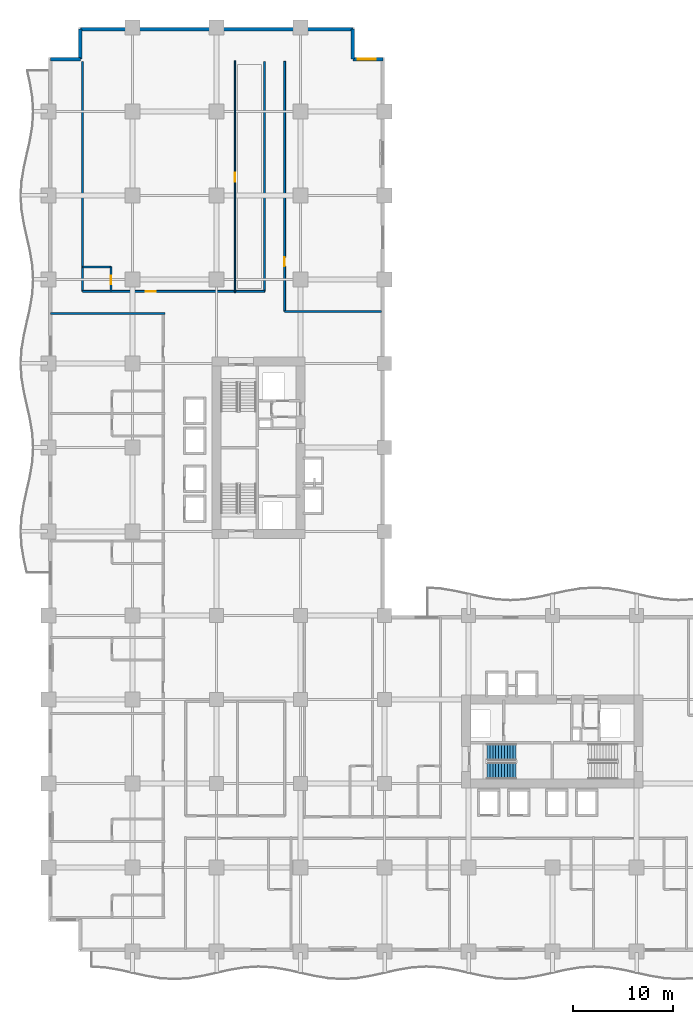
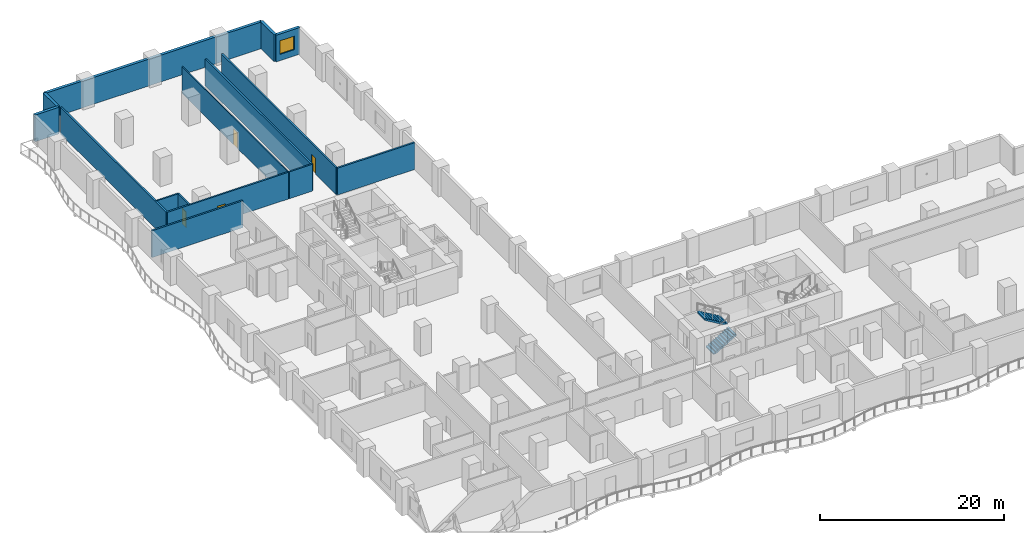
# One storey, part 19 of 27: 14 walls, 4 doors, 2 stair flights, 1 window, 5 openings, 1 element without a shape of its own.
"""IFC4 building model written with IfcOpenShell, lengths in metres."""

import ifcopenshell
import ifcopenshell.guid

model = None  # the IFC model being written
_history = None  # IfcOwnerHistory: only IFC2X3 demands one
_inside = {}  # id of a spatial element -> (the spatial element, [elements in it])
_under = {}  # id of a project, library or spatial element -> (it, [spatial elements below it])
_declared = {}  # id of a project -> (the project, [libraries it declares])
_typed = {}  # id of a type object -> (the type object, [elements of that type])
_made_of = {}  # id of a material, layer set ... -> (it, [elements and type objects made of it])


def new_model(schema):
    """Start an empty IFC model of exactly this schema.

    Asked for "IFC4X3", IfcOpenShell would pick the latest addendum, in which some entities
    have other attributes; the version numbers below select the first issue.
    IFC2X3 requires an IfcOwnerHistory on every rooted entity: one is made here for all.
    """
    global model, _history
    if schema == "IFC4X3":
        model = ifcopenshell.file(schema_version=(4, 3, 0, 0))
    else:
        model = ifcopenshell.file(schema=schema)
    _inside.clear()
    _under.clear()
    _declared.clear()
    _typed.clear()
    _made_of.clear()
    _history = None
    if model.schema == "IFC2X3":
        org = make("IfcOrganization", Name="unknown")
        user = make(
            "IfcPersonAndOrganization",
            ThePerson=make("IfcPerson", FamilyName="unknown"),
            TheOrganization=org,
        )
        app = make(
            "IfcApplication",
            ApplicationDeveloper=org,
            Version="unknown",
            ApplicationFullName="unknown",
            ApplicationIdentifier="unknown",
        )
        _history = make(
            "IfcOwnerHistory",
            OwningUser=user,
            OwningApplication=app,
            ChangeAction="ADDED",
            CreationDate=0,
        )
    return model


def make(cls, **values):
    """One entity of the class cls with the attributes given. An attribute that is None is left unset."""
    return model.create_entity(
        cls, **{name: value for name, value in values.items() if value is not None}
    )


def rooted(cls, **values):
    """An entity with a GlobalId (a new one), such as an element, a storey or a relation."""
    return make(cls, GlobalId=ifcopenshell.guid.new(), OwnerHistory=_history, **values)


def si_unit(unit_type, name, prefix=None):
    """IfcSIUnit, for example si_unit("LENGTHUNIT", "METRE", prefix="MILLI")."""
    return make("IfcSIUnit", UnitType=unit_type, Prefix=prefix, Name=name)


def assignment(units):
    """IfcUnitAssignment: the units of a project."""
    return None if units is None else make("IfcUnitAssignment", Units=units)


def point(xyz):
    """IfcCartesianPoint."""
    return None if xyz is None else make("IfcCartesianPoint", Coordinates=xyz)


def direction(xyz):
    """IfcDirection."""
    return None if xyz is None else make("IfcDirection", DirectionRatios=xyz)


def frame(location, z_axis=None, x_axis=None):
    """IfcAxis2Placement3D, a coordinate frame: its origin and axes. An axis left out is left unset."""
    return make(
        "IfcAxis2Placement3D",
        Location=point(location),
        Axis=direction(z_axis),
        RefDirection=direction(x_axis),
    )


def frame_2d(location, x_axis=None):
    """IfcAxis2Placement2D, a coordinate frame in the plane: its origin and x axis."""
    return make(
        "IfcAxis2Placement2D", Location=point(location), RefDirection=direction(x_axis)
    )


def origin():
    """The frame at (0, 0, 0) with its axes left unset."""
    return frame((0.0, 0.0, 0.0))


def place(relative_to, where):
    """IfcLocalPlacement: puts the frame where relative to a parent placement (None: the world)."""
    return make(
        "IfcLocalPlacement", PlacementRelTo=relative_to, RelativePlacement=where
    )


def context(
    kind, dimensions, precision=None, world=None, true_north=None, identifier=None
):
    """IfcGeometricRepresentationContext, for example the 3D "Model" context."""
    return make(
        "IfcGeometricRepresentationContext",
        ContextIdentifier=identifier,
        ContextType=kind,
        CoordinateSpaceDimension=dimensions,
        Precision=precision,
        WorldCoordinateSystem=world,
        TrueNorth=true_north,
    )


def subcontext(parent, identifier, kind, view, scale=None):
    """IfcGeometricRepresentationSubContext, for example "Body" below "Model"."""
    return make(
        "IfcGeometricRepresentationSubContext",
        ContextIdentifier=identifier,
        ContextType=kind,
        ParentContext=parent,
        TargetScale=scale,
        TargetView=view,
    )


def project(units=None, contexts=None):
    """IfcProject with its units and contexts."""
    return rooted(
        "IfcProject",
        Name="project",
        RepresentationContexts=contexts,
        UnitsInContext=assignment(units),
    )


def spatial(cls, under=None, at=None, **own):
    """A site, building, storey or space (cls), placed at a placement, below another one or the project."""
    s = rooted(cls, ObjectPlacement=at, **own)
    if under is not None:
        _under.setdefault(under.id(), (under, []))[1].append(s)
    return s


def polyline(points):
    """IfcPolyline through the points."""
    return make("IfcPolyline", Points=[point(p) for p in points])


def profile(cls, at=None, kind="AREA", **sizes):
    """A parametric profile (cls). Its sizes go by their IFC names, for example OverallWidth=200.0."""
    return make(cls, ProfileType=kind, Position=at, **sizes)


def rectangle(**sizes):
    """IfcRectangleProfileDef."""
    return profile("IfcRectangleProfileDef", **sizes)


def outline(outer, holes=None, kind="AREA"):
    """IfcArbitraryClosedProfileDef: a profile drawn as a closed curve; with holes, ...WithVoids."""
    if holes is None:
        return make("IfcArbitraryClosedProfileDef", ProfileType=kind, OuterCurve=outer)
    return make(
        "IfcArbitraryProfileDefWithVoids",
        ProfileType=kind,
        OuterCurve=outer,
        InnerCurves=holes,
    )


def extrude(swept, where, along, depth):
    """IfcExtrudedAreaSolid: the profile swept, set in the frame where, extruded along a direction by depth."""
    return make(
        "IfcExtrudedAreaSolid",
        SweptArea=swept,
        Position=where,
        ExtrudedDirection=direction(along),
        Depth=depth,
    )


def shape(context_of_items, identifier, shape_type, items):
    """IfcShapeRepresentation: the items that make up one representation, for example the "Body"."""
    return make(
        "IfcShapeRepresentation",
        ContextOfItems=context_of_items,
        RepresentationIdentifier=identifier,
        RepresentationType=shape_type,
        Items=items,
    )


def material(Name=None, Category=None):
    """IfcMaterial."""
    return make("IfcMaterial", Name=Name, Category=Category)


def layer(
    of_material, thickness, ventilated=None, Name=None, Category=None, Priority=None
):
    """IfcMaterialLayer: one layer of a wall or slab, of a material (None: an air gap)."""
    return make(
        "IfcMaterialLayer",
        Material=of_material,
        LayerThickness=thickness,
        IsVentilated=ventilated,
        Name=Name,
        Category=Category,
        Priority=Priority,
    )


def layer_set(layers, Name=None):
    """IfcMaterialLayerSet."""
    return make("IfcMaterialLayerSet", MaterialLayers=layers, LayerSetName=Name)


def made_of(thing, what):
    """Note that an element or type object is made of a material, layer set ...; save() writes the relation."""
    if what is not None:
        _made_of.setdefault(what.id(), (what, []))[1].append(thing)
    return thing


def type_object(cls, material=None, **own):
    """A type object (cls), such as IfcWallType, which elements share."""
    return made_of(rooted(cls, **own), material)


def element(
    cls,
    number,
    at=None,
    inside=None,
    cuts=None,
    type_object=None,
    material=None,
    context=None,
    identifier="Body",
    shape_type=None,
    held_by="IfcProductDefinitionShape",
    body=None,
    shapes=None,
    **own,
):
    """One element of the class cls, such as IfcWall. Its Tag is "e" and its number.

    at: its placement. inside: the storey or other place that contains it. cuts: it is an
    opening in that element (IfcRelVoidsElement). A single representation is given by context,
    identifier, shape_type and body (its items); several are given by shapes. held_by: the class
    of the entity that holds the representations. save() writes the other relations.
    """
    e = rooted(cls, Tag="e%d" % number, ObjectPlacement=at, **own)
    if body is not None:
        shapes = [shape(context, identifier, shape_type, body)]
    if shapes is not None:
        e.Representation = make(held_by, Representations=shapes)
    if inside is not None:
        _inside.setdefault(inside.id(), (inside, []))[1].append(e)
    if cuts is not None:
        rooted(
            "IfcRelVoidsElement", RelatingBuildingElement=cuts, RelatedOpeningElement=e
        )
    if type_object is not None:
        _typed.setdefault(type_object.id(), (type_object, []))[1].append(e)
    return made_of(e, material)


def fill(opening, filler):
    """IfcRelFillsElement: the door or window that sits in an opening."""
    return rooted(
        "IfcRelFillsElement",
        RelatingOpeningElement=opening,
        RelatedBuildingElement=filler,
    )


def aggregate(whole, parts):
    """IfcRelAggregates: a whole, such as a stair, and the parts it consists of."""
    return rooted("IfcRelAggregates", RelatingObject=whole, RelatedObjects=parts)


def save(model, path):
    """Write the relations noted so far, then the file.

    IfcRelAggregates (storeys below a building ...), IfcRelContainedInSpatialStructure (elements
    in a storey), IfcRelDefinesByType, IfcRelAssociatesMaterial and IfcRelDeclares: one each for
    every whole, place, type object, material and project.
    """
    for whole, parts in _under.values():
        aggregate(whole, parts)
    for where, things in _inside.values():
        rooted(
            "IfcRelContainedInSpatialStructure",
            RelatedElements=things,
            RelatingStructure=where,
        )
    for kind, things in _typed.values():
        rooted("IfcRelDefinesByType", RelatedObjects=things, RelatingType=kind)
    for what, things in _made_of.values():
        rooted("IfcRelAssociatesMaterial", RelatedObjects=things, RelatingMaterial=what)
    for by, libraries in _declared.values():
        rooted("IfcRelDeclares", RelatingContext=by, RelatedDefinitions=libraries)
    model.write(path)


model = new_model("IFC4")

# Units and contexts
model_context = context("Model", 3, precision=1e-05, world=origin(), true_north=direction((0.0, 1.0)))
body_context = subcontext(model_context, "Body", "Model", "MODEL_VIEW")
ifc_project = project(units=[si_unit("LENGTHUNIT", "METRE"), si_unit("AREAUNIT", "SQUARE_METRE"), si_unit("VOLUMEUNIT", "CUBIC_METRE"), si_unit("PLANEANGLEUNIT", "RADIAN"), si_unit("MASSUNIT", "GRAM", prefix="KILO")], contexts=[model_context])

# Site, building, storey
site_placement = place(None, origin())
site = spatial("IfcSite", under=ifc_project, at=site_placement, CompositionType="ELEMENT")
building_placement = place(site_placement, origin())
building = spatial("IfcBuilding", under=site, at=building_placement, Name="Koriwani Terraces Tower", CompositionType="ELEMENT")
storey_placement = place(building_placement, frame((0.0, 0.0, 70.0)))
storey = spatial("IfcBuildingStorey", under=building, at=storey_placement, Name="L16", CompositionType="ELEMENT", Elevation=70.0)

# Wall, opening, door
ifc_material_1 = material(Name="Autoclaved Cellular Concrete Blockwork", Category="masonry")
ifc_layer_1 = layer(ifc_material_1, 0.199951171875, Name="Autoclaved Cellular Concrete Blockwork")
ifc_layer_set_1 = layer_set([ifc_layer_1], Name="Autoclaved Cellular Concrete Blockwork")
wall_type_1 = type_object("IfcWallType", Name="WALL_CORRIDOR_200", PredefinedType="PARTITIONING", material=ifc_layer_set_1)
wall_1_placement = place(storey_placement, frame((3.39990234375, 66.0, 0.0), z_axis=(0.0, 0.0, 1.0), x_axis=(1.0, 0.0, 0.0)))
wall_1 = element("IfcWall", 1, at=wall_1_placement, inside=storey, type_object=wall_type_1, Name="L16 Interior Wall WGB-L16-NTIP-S", PredefinedType="PARTITIONING", context=body_context, shape_type="SweptSolid", body=[
    extrude(rectangle(XDim=18.2001953125, YDim=0.199951171875, at=frame_2d((9.10009765625, 0.0))), origin(), (0.0, 0.0, 1.0), 3.550048828125),
])
opening_1_placement = place(wall_1_placement, frame((6.300048828125, 0.0, 0.0)))
opening_1 = element("IfcOpeningElement", 2, at=opening_1_placement, cuts=wall_1, Name="Opening D-05", PredefinedType="OPENING", context=body_context, shape_type="SweptSolid", body=[
    extrude(rectangle(XDim=1.0, YDim=2.14990234375, at=frame_2d((0.5, 1.074951171875))), frame((0.0, 0.10986328125, 0.0), z_axis=(0.0, -1.0, 0.0), x_axis=(1.0, 0.0, 0.0)), (0.0, 0.0, 1.0), 0.219970703125),
])
ifc_material_2 = material(Name="Architectural Oak Fire Door", Category="wood")
door_type_1 = type_object("IfcDoorType", Name="DOOR_SUITE_ENTRY_1000X2150", OperationType="NOTDEFINED", PredefinedType="DOOR", material=ifc_material_2)
door_1_placement = place(opening_1_placement, origin())
door_1 = element("IfcDoor", 3, at=door_1_placement, inside=storey, type_object=door_type_1, Name="Presidential Wing Suite 16N Entrance Door", OperationType="SINGLE_SWING_RIGHT", OverallHeight=2.14990234375, OverallWidth=1.0, PredefinedType="DOOR", context=body_context, shape_type="SweptSolid", body=[
    extrude(rectangle(XDim=1.0, YDim=2.14990234375, at=frame_2d((0.5, 1.074951171875))), frame((0.0, 0.02490234375, 0.0), z_axis=(0.0, -1.0, 0.0), x_axis=(1.0, 0.0, 0.0)), (0.0, 0.0, 1.0), 0.050048828125),
])
fill(opening_1, door_1)

wall_2_placement = place(storey_placement, frame((23.60009765625, 64.0, 0.0), z_axis=(0.0, 0.0, 1.0), x_axis=(0.0, 1.0, 0.0)))
wall_2 = element("IfcWall", 4, at=wall_2_placement, inside=storey, type_object=wall_type_1, Name="L16 Interior Wall WNTIP2-W-L16", PredefinedType="PARTITIONING", context=body_context, shape_type="SweptSolid", body=[
    extrude(rectangle(XDim=25.0, YDim=0.199951171875, at=frame_2d((12.5, 0.0))), origin(), (0.0, 0.0, 1.0), 3.550048828125),
])
opening_2_placement = place(wall_2_placement, frame((4.5, 0.0, 0.0)))
opening_2 = element("IfcOpeningElement", 5, at=opening_2_placement, cuts=wall_2, Name="Opening D-06", PredefinedType="OPENING", context=body_context, shape_type="SweptSolid", body=[
    extrude(rectangle(XDim=0.919921875, YDim=2.10009765625, at=frame_2d((0.4599609375, 1.050048828125))), frame((0.0, 0.10986328125, 0.0), z_axis=(0.0, -1.0, 0.0), x_axis=(1.0, 0.0, 0.0)), (0.0, 0.0, 1.0), 0.219970703125),
])
door_type_2 = type_object("IfcDoorType", Name="DOOR_ROOM_INT_920X2100", OperationType="NOTDEFINED", PredefinedType="DOOR", material=ifc_material_2)
door_2_placement = place(opening_2_placement, origin())
door_2 = element("IfcDoor", 6, at=door_2_placement, inside=storey, type_object=door_type_2, Name="L16 North Panorama Salon Door", OperationType="SINGLE_SWING_LEFT", OverallHeight=2.10009765625, OverallWidth=0.919921875, PredefinedType="DOOR", context=body_context, shape_type="SweptSolid", body=[
    extrude(rectangle(XDim=0.919921875, YDim=2.10009765625, at=frame_2d((0.4599609375, 1.050048828125))), frame((0.0, 0.02490234375, 0.0), z_axis=(0.0, -1.0, 0.0), x_axis=(1.0, 0.0, 0.0)), (0.0, 0.0, 1.0), 0.050048828125),
])
fill(opening_2, door_2)

# Walls
ifc_layer_2 = layer(ifc_material_1, 0.219970703125, Name="Autoclaved Cellular Concrete Blockwork")
ifc_layer_set_2 = layer_set([ifc_layer_2], Name="Autoclaved Cellular Concrete Blockwork")
wall_type_2 = type_object("IfcWallType", Name="WALL_DEMISING_220", PredefinedType="PARTITIONING", material=ifc_layer_set_2)
wall_3_placement = place(storey_placement, frame((0.199951171875, 63.800048828125, 0.0), z_axis=(0.0, 0.0, 1.0), x_axis=(1.0, 0.0, 0.0)))
element("IfcWall", 7, at=wall_3_placement, inside=storey, type_object=wall_type_2, Name="L16 Interior Wall WDEME-L16-NW", PredefinedType="PARTITIONING", context=body_context, shape_type="SweptSolid", body=[
    extrude(rectangle(XDim=11.429931640625, YDim=0.219970703125, at=frame_2d((5.71484375, 0.0))), origin(), (0.0, 0.0, 1.0), 3.550048828125),
])
for number, where, z_axis, x_axis, name in (
    (8, (21.60009765625, 66.0, 0.0), (0.0, 0.0, 1.0), (0.0, 1.0, 0.0), "L16 Interior Wall WGB-L16-NTIP-E"),
    (9, (3.39990234375, 66.0, 0.0), (0.0, 0.0, 1.0), (0.0, 1.0, 0.0), "L16 Interior Wall WGB-L16-NTIP-W"),
):
    element("IfcWall", number, at=place(storey_placement, frame(where, z_axis=z_axis, x_axis=x_axis)), inside=storey, type_object=wall_type_2, Name=name, PredefinedType="PARTITIONING", context=body_context, shape_type="SweptSolid", body=[
        extrude(rectangle(XDim=23.0, YDim=0.219970703125, at=frame_2d((11.5, 0.0))), origin(), (0.0, 0.0, 1.0), 3.550048828125),
    ])
wall_4_placement = place(storey_placement, frame((23.60009765625, 64.0, 0.0), z_axis=(0.0, 0.0, 1.0), x_axis=(1.0, 0.0, 0.0)))
element("IfcWall", 10, at=wall_4_placement, inside=storey, type_object=wall_type_2, Name="L16 Interior Wall WNTIP2-S-L16", PredefinedType="PARTITIONING", context=body_context, shape_type="SweptSolid", body=[
    extrude(rectangle(XDim=9.699951171875, YDim=0.219970703125, at=frame_2d((4.85009765625, 0.0))), origin(), (0.0, 0.0, 1.0), 3.550048828125),
])
ifc_material_3 = material(Name="Concrete C50/60", Category="concrete")
ifc_layer_3 = layer(ifc_material_3, 0.35009765625, Name="Concrete C50/60")
ifc_layer_set_3 = layer_set([ifc_layer_3], Name="Concrete C50/60")
wall_type_3 = type_object("IfcWallType", Name="WALL_EXT_BRUTALIST_350", PredefinedType="STANDARD", material=ifc_layer_set_3)
for number, where, z_axis, x_axis, name in (
    (11, (0.175048828125, 89.22509765625, 0.0), (0.0, 0.0, 1.0), (1.0, 0.0, 0.0), "L16 Fair-Faced Brutalist Exterior Wall (N3)"),
    (12, (3.175048828125, 89.22509765625, 0.0), (0.0, 0.0, 1.0), (0.0, 1.0, 0.0), "L16 Fair-Faced Brutalist Exterior Wall (N4)"),
):
    element("IfcWall", number, at=place(storey_placement, frame(where, z_axis=z_axis, x_axis=x_axis)), inside=storey, type_object=wall_type_3, Name=name, PredefinedType="STANDARD", context=body_context, shape_type="SweptSolid", body=[
        extrude(rectangle(XDim=3.0, YDim=0.35009765625, at=frame_2d((1.5, 0.0))), origin(), (0.0, 0.0, 1.0), 3.550048828125),
    ])
wall_5_placement = place(storey_placement, frame((3.175048828125, 92.22509765625, 0.0), z_axis=(0.0, 0.0, 1.0), x_axis=(1.0, 0.0, 0.0)))
element("IfcWall", 13, at=wall_5_placement, inside=storey, type_object=wall_type_3, Name="L16 Fair-Faced Brutalist Exterior Wall (N_TIP)", PredefinedType="STANDARD", context=body_context, shape_type="SweptSolid", body=[
    extrude(rectangle(XDim=27.25, YDim=0.35009765625, at=frame_2d((13.625, 0.0))), origin(), (0.0, 0.0, 1.0), 3.550048828125),
])
wall_6_placement = place(storey_placement, frame((30.425048828125, 92.22509765625, 0.0), z_axis=(0.0, 0.0, 1.0), x_axis=(0.0, -1.0, 0.0)))
element("IfcWall", 14, at=wall_6_placement, inside=storey, type_object=wall_type_3, Name="L16 Fair-Faced Brutalist Exterior Wall (N6)", PredefinedType="STANDARD", context=body_context, shape_type="SweptSolid", body=[
    extrude(rectangle(XDim=3.0, YDim=0.35009765625, at=frame_2d((1.5, 0.0))), origin(), (0.0, 0.0, 1.0), 3.550048828125),
])

# Wall, opening, window
wall_7_placement = place(storey_placement, frame((30.425048828125, 89.22509765625, 0.0), z_axis=(0.0, 0.0, 1.0), x_axis=(1.0, 0.0, 0.0)))
wall_7 = element("IfcWall", 15, at=wall_7_placement, inside=storey, type_object=wall_type_3, Name="L16 Fair-Faced Brutalist Exterior Wall (N7)", PredefinedType="STANDARD", context=body_context, shape_type="SweptSolid", body=[
    extrude(rectangle(XDim=3.0, YDim=0.35009765625, at=frame_2d((1.5, 0.0))), origin(), (0.0, 0.0, 1.0), 3.550048828125),
])
opening_3_placement = place(wall_7_placement, frame((0.487548828125, 0.0, 0.85009765625)))
opening_3 = element("IfcOpeningElement", 16, at=opening_3_placement, cuts=wall_7, Name="Opening W-04", PredefinedType="OPENING", context=body_context, shape_type="SweptSolid", body=[
    extrude(rectangle(XDim=1.800048828125, YDim=1.800048828125, at=frame_2d((0.89990234375, 0.89990234375))), frame((0.0, 0.18505859375, 0.0), z_axis=(0.0, -1.0, 0.0), x_axis=(1.0, 0.0, 0.0)), (0.0, 0.0, 1.0), 0.3701171875),
])
ifc_material_4 = material(Name="Tempered Laminated Low-E Glass", Category="glass")
window_type = type_object("IfcWindowType", Name="WIN_RES_BED_1800X1800", PartitioningType="DOUBLE_PANEL_VERTICAL", PredefinedType="WINDOW", material=ifc_material_4)
window_placement = place(opening_3_placement, origin())
window = element("IfcWindow", 17, at=window_placement, inside=storey, type_object=window_type, Name="L16 Exterior Window (N7-R60)", OverallHeight=1.800048828125, OverallWidth=1.800048828125, PartitioningType="SINGLE_PANEL", PredefinedType="WINDOW", context=body_context, shape_type="SweptSolid", body=[
    extrude(rectangle(XDim=1.800048828125, YDim=1.800048828125, at=frame_2d((0.89990234375, 0.89990234375))), frame((0.0, 0.030029296875, 0.0), z_axis=(0.0, -1.0, 0.0), x_axis=(1.0, 0.0, 0.0)), (0.0, 0.0, 1.0), 0.06005859375),
])
fill(opening_3, window)

# Wall, opening, door
ifc_material_5 = material(Name="Fire-Rated Acoustic Gypsum Partition", Category="masonry")
ifc_layer_4 = layer(ifc_material_5, 0.125, Name="Fire-Rated Acoustic Gypsum Partition")
ifc_layer_set_4 = layer_set([ifc_layer_4], Name="Fire-Rated Acoustic Gypsum Partition")
wall_type_4 = type_object("IfcWallType", Name="WALL_INT_125", PredefinedType="PARTITIONING", material=ifc_layer_set_4)
wall_8_placement = place(storey_placement, frame((18.64990234375, 65.85009765625, 0.0), z_axis=(0.0, 0.0, 1.0), x_axis=(0.0, 1.0, 0.0)))
wall_8 = element("IfcWall", 18, at=wall_8_placement, inside=storey, type_object=wall_type_4, Name="L16 Interior Wall WGB-L16-NTIP-BD", PredefinedType="PARTITIONING", context=body_context, shape_type="SweptSolid", body=[
    extrude(rectangle(XDim=23.199951171875, YDim=0.125, at=frame_2d((11.60009765625, 0.0))), origin(), (0.0, 0.0, 1.0), 3.550048828125),
])
opening_4_placement = place(wall_8_placement, frame((11.10009765625, 0.0, 0.0)))
opening_4 = element("IfcOpeningElement", 19, at=opening_4_placement, cuts=wall_8, Name="Opening D-06", PredefinedType="OPENING", context=body_context, shape_type="SweptSolid", body=[
    extrude(rectangle(XDim=0.919921875, YDim=2.10009765625, at=frame_2d((0.4599609375, 1.050048828125))), frame((0.0, 0.072509765625, 0.0), z_axis=(0.0, -1.0, 0.0), x_axis=(1.0, 0.0, 0.0)), (0.0, 0.0, 1.0), 0.14501953125),
])
door_3_placement = place(opening_4_placement, origin())
door_3 = element("IfcDoor", 20, at=door_3_placement, inside=storey, type_object=door_type_2, Name="Presidential Wing Suite 16N Master Suite Door", OperationType="SINGLE_SWING_RIGHT", OverallHeight=2.10009765625, OverallWidth=0.919921875, PredefinedType="DOOR", context=body_context, shape_type="SweptSolid", body=[
    extrude(rectangle(XDim=0.919921875, YDim=2.10009765625, at=frame_2d((0.4599609375, 1.050048828125))), frame((0.0, 0.02490234375, 0.0), z_axis=(0.0, -1.0, 0.0), x_axis=(1.0, 0.0, 0.0)), (0.0, 0.0, 1.0), 0.050048828125),
])
fill(opening_4, door_3)

ifc_layer_5 = layer(ifc_material_5, 0.179931640625, Name="Fire-Rated Acoustic Gypsum Partition")
ifc_layer_set_5 = layer_set([ifc_layer_5], Name="Fire-Rated Acoustic Gypsum Partition")
wall_type_5 = type_object("IfcWallType", Name="WALL_PLUMBING_180", PredefinedType="PLUMBINGWALL", material=ifc_layer_set_5)
wall_9_placement = place(storey_placement, frame((6.25, 66.050048828125, 0.0), z_axis=(0.0, 0.0, 1.0), x_axis=(0.0, 1.0, 0.0)))
wall_9 = element("IfcWall", 21, at=wall_9_placement, inside=storey, type_object=wall_type_5, Name="L16 Interior Wall WGB-L16-NTIP-SVB", PredefinedType="PLUMBINGWALL", context=body_context, shape_type="SweptSolid", body=[
    extrude(rectangle(XDim=2.39990234375, YDim=0.179931640625, at=frame_2d((1.199951171875, 0.0))), origin(), (0.0, 0.0, 1.0), 3.550048828125),
])
opening_5_placement = place(wall_9_placement, frame((0.64990234375, 0.0, 0.0)))
opening_5 = element("IfcOpeningElement", 22, at=opening_5_placement, cuts=wall_9, Name="Opening D-07", PredefinedType="OPENING", context=body_context, shape_type="SweptSolid", body=[
    extrude(rectangle(XDim=0.89990234375, YDim=2.10009765625, at=frame_2d((0.449951171875, 1.050048828125))), frame((0.0, 0.10009765625, 0.0), z_axis=(0.0, -1.0, 0.0), x_axis=(1.0, 0.0, 0.0)), (0.0, 0.0, 1.0), 0.199951171875),
])
door_type_3 = type_object("IfcDoorType", Name="DOOR_BATH_INT_900X2100", OperationType="NOTDEFINED", PredefinedType="DOOR", material=ifc_material_2)
door_4_placement = place(opening_5_placement, origin())
door_4 = element("IfcDoor", 23, at=door_4_placement, inside=storey, type_object=door_type_3, Name="Presidential Wing Suite 16N Bathroom Door", OperationType="SINGLE_SWING_LEFT", OverallHeight=2.10009765625, OverallWidth=0.89990234375, PredefinedType="DOOR", context=body_context, shape_type="SweptSolid", body=[
    extrude(rectangle(XDim=0.89990234375, YDim=2.10009765625, at=frame_2d((0.449951171875, 1.050048828125))), frame((0.0, 0.02490234375, 0.0), z_axis=(0.0, -1.0, 0.0), x_axis=(1.0, 0.0, 0.0)), (0.0, 0.0, 1.0), 0.050048828125),
])
fill(opening_5, door_4)

# Wall
wall_10_placement = place(storey_placement, frame((3.449951171875, 68.449951171875, 0.0), z_axis=(0.0, 0.0, 1.0), x_axis=(1.0, 0.0, 0.0)))
element("IfcWall", 24, at=wall_10_placement, inside=storey, type_object=wall_type_5, Name="L16 Interior Wall WGB-L16-NTIP-SV2", PredefinedType="PLUMBINGWALL", context=body_context, shape_type="SweptSolid", body=[
    extrude(rectangle(XDim=2.800048828125, YDim=0.179931640625, at=frame_2d((1.39990234375, 0.0))), origin(), (0.0, 0.0, 1.0), 3.550048828125),
])

# Stair, stair flights
ifc_material_6 = material(Name="Concrete C40/50", Category="concrete")
stair_type = type_object("IfcStairType", Name="STAIR_CORE_DOGLEG_1650", PredefinedType="TWO_STRAIGHT_RUN_STAIR", material=ifc_material_6)
stair_placement = place(storey_placement, origin())
stair = element("IfcStair", 25, at=stair_placement, inside=storey, type_object=stair_type, Name="L16 East Core Exit Stair 1", PredefinedType="HALF_TURN_STAIR")
stair_flight_type = type_object("IfcStairFlightType", Name="STAIR_FLIGHT_RC_1650", PredefinedType="STRAIGHT", material=ifc_material_6)
stair_flight_1_placement = place(storey_placement, frame((43.85009765625, 18.074951171875, 0.0), z_axis=(0.0, 0.0, 1.0), x_axis=(1.0, 0.0, 0.0)))
stair_flight_1 = element("IfcStairFlight", 26, at=stair_flight_1_placement, type_object=stair_flight_type, Name="ST-E1 flight 1", NumberOfRisers=11, NumberOfTreads=10, PredefinedType="STRAIGHT", RiserHeight=0.172727273, TreadLength=0.29, context=body_context, shape_type="SweptSolid", body=[
    extrude(outline(polyline([(0.0, 0.0), (0.0, 0.172607421875), (0.2900390625, 0.172607421875), (0.2900390625, 0.345458984375), (0.580078125, 0.345458984375), (0.580078125, 0.51806640625), (0.8701171875, 0.51806640625), (0.8701171875, 0.69091796875), (1.159912109375, 0.69091796875), (1.159912109375, 0.863525390625), (1.449951171875, 0.863525390625), (1.449951171875, 1.036376953125), (1.739990234375, 1.036376953125), (1.739990234375, 1.208984375), (2.030029296875, 1.208984375), (2.030029296875, 1.3818359375), (2.320068359375, 1.3818359375), (2.320068359375, 1.554443359375), (2.610107421875, 1.554443359375), (2.610107421875, 1.727294921875), (2.89990234375, 1.727294921875), (2.89990234375, 1.89990234375), (2.89990234375, 1.517822265625), (0.3515625, 0.0), (0.0, 0.0)])), frame((0.0, 0.824951171875, 0.0), z_axis=(0.0, -1.0, 0.0), x_axis=(1.0, 0.0, 0.0)), (0.0, 0.0, 1.0), 1.64990234375),
])
stair_flight_2_placement = place(storey_placement, frame((46.75, 19.925048828125, 1.89990234375), z_axis=(0.0, 0.0, 1.0), x_axis=(-1.0, 0.0, 0.0)))
stair_flight_2 = element("IfcStairFlight", 27, at=stair_flight_2_placement, type_object=stair_flight_type, Name="ST-E1 flight 2", NumberOfRisers=11, NumberOfTreads=10, PredefinedType="STRAIGHT", RiserHeight=0.172727273, TreadLength=0.29, context=body_context, shape_type="SweptSolid", body=[
    extrude(outline(polyline([(0.0, 0.0), (0.0, 0.172607421875), (0.2900390625, 0.172607421875), (0.2900390625, 0.345458984375), (0.580078125, 0.345458984375), (0.580078125, 0.51806640625), (0.8701171875, 0.51806640625), (0.8701171875, 0.69091796875), (1.159912109375, 0.69091796875), (1.159912109375, 0.863525390625), (1.449951171875, 0.863525390625), (1.449951171875, 1.036376953125), (1.739990234375, 1.036376953125), (1.739990234375, 1.208984375), (2.030029296875, 1.208984375), (2.030029296875, 1.3818359375), (2.320068359375, 1.3818359375), (2.320068359375, 1.554443359375), (2.610107421875, 1.554443359375), (2.610107421875, 1.727294921875), (2.89990234375, 1.727294921875), (2.89990234375, 1.89990234375), (2.89990234375, 1.517822265625), (0.3515625, 0.0), (0.0, 0.0)])), frame((0.0, 0.824951171875, 0.0), z_axis=(0.0, -1.0, 0.0), x_axis=(1.0, 0.0, 0.0)), (0.0, 0.0, 1.0), 1.64990234375),
])
aggregate(stair, [stair_flight_1, stair_flight_2])

save(model, "model.ifc")
